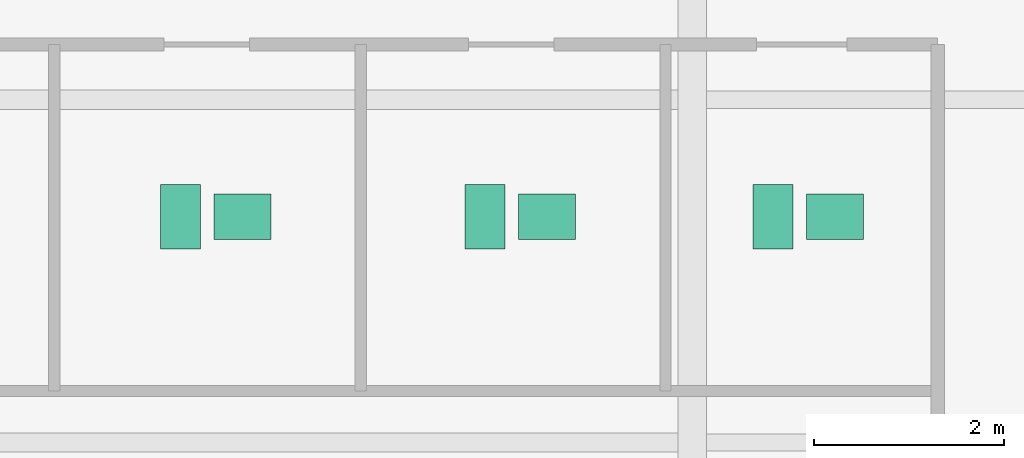
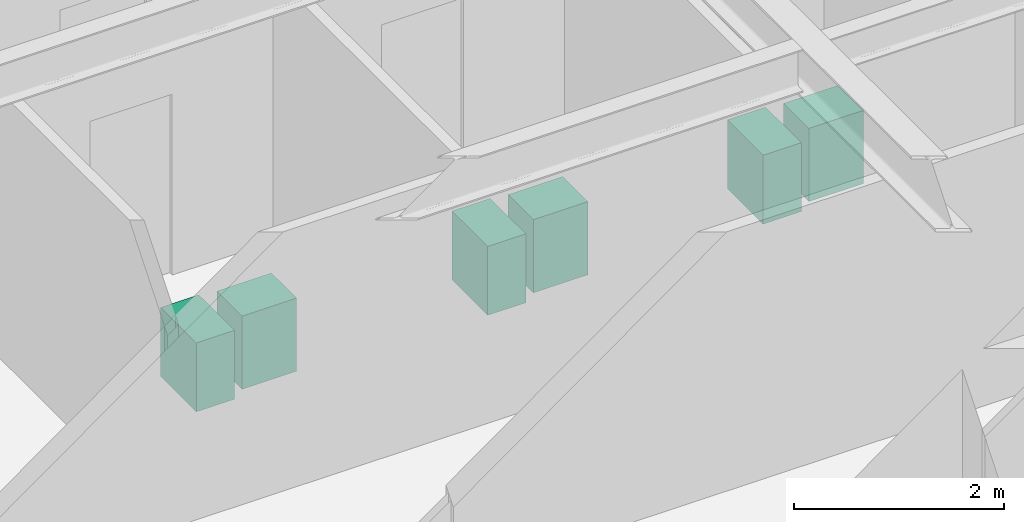
# One storey, part 26 of 26: 6 sanitary terminals.
"""IFC4 building model written with IfcOpenShell, lengths in metres."""

from ifc_helpers import new_model, si_unit, direction, frame, origin, origin_2d, place, context, subcontext, project, spatial, rectangle, extrude, source, transform, mapped, material, type_object, type_shapes, element, save


model = new_model("IFC4")

# Units and contexts
model_context = context("Model", 3, precision=1e-05, world=origin(), true_north=direction((0.0, 1.0)))
body_context = subcontext(model_context, "Body", "Model", "MODEL_VIEW")
ifc_project = project(units=[si_unit("LENGTHUNIT", "METRE"), si_unit("AREAUNIT", "SQUARE_METRE"), si_unit("VOLUMEUNIT", "CUBIC_METRE"), si_unit("PLANEANGLEUNIT", "RADIAN"), si_unit("MASSUNIT", "GRAM", prefix="KILO")], contexts=[model_context])

# Site, building, storey
site_placement = place(None, origin())
site = spatial("IfcSite", under=ifc_project, at=site_placement, CompositionType="ELEMENT")
building_placement = place(site_placement, origin())
building = spatial("IfcBuilding", under=site, at=building_placement, Name="Krantzveldt Concourse Tower", CompositionType="ELEMENT")
storey_placement = place(building_placement, frame((0.0, 0.0, 137.449951171875)))
storey = spatial("IfcBuildingStorey", under=building, at=storey_placement, Name="L33", CompositionType="ELEMENT", Elevation=137.449951171875)

# Sanitary terminals
ifc_material = material(Name="Vitreous china", Category="ceramic")
sanitary_terminal_type_1 = type_object("IfcSanitaryTerminalType", Name="SAN-WC-SUITE", PredefinedType="TOILETPAN", material=ifc_material)
shared_shape_1 = source(origin(), body_context, "Body", "SweptSolid", [
    extrude(rectangle(XDim=0.419921875, YDim=0.679931640625, at=origin_2d()), origin(), (0.0, 0.0, 1.0), 0.800048828125),
])
type_shapes(sanitary_terminal_type_1, [shared_shape_1])
for number, where, z_axis, x_axis, name in (
    (1, (36.02490234375, 32.570068359375, 0.0), (0.0, 0.0, 1.0), (1.0, 0.0, 0.0), "WC-SP-L33-WCM"),
    (2, (39.22509765625, 32.570068359375, 0.0), (0.0, 0.0, 1.0), (1.0, 0.0, 0.0), "WC-SP-L33-WCF"),
    (3, (42.25, 32.570068359375, 0.0), (0.0, 0.0, 1.0), (1.0, 0.0, 0.0), "WC-SP-L33-WCA"),
):
    element("IfcSanitaryTerminal", number, at=place(storey_placement, frame(where, z_axis=z_axis, x_axis=x_axis)), inside=storey, type_object=sanitary_terminal_type_1, Name=name, PredefinedType="TOILETPAN", context=body_context, shape_type="MappedRepresentation", body=[
        mapped(shared_shape_1, transform((0.0, 0.0, 0.0), x_axis=(1.0, 0.0, 0.0), y_axis=(0.0, 1.0, 0.0), z_axis=(0.0, 0.0, 1.0), scale=1.0)),
    ])
sanitary_terminal_type_2 = type_object("IfcSanitaryTerminalType", Name="SAN-BASIN-600", PredefinedType="WASHHANDBASIN", material=ifc_material)
shared_shape_2 = source(origin(), body_context, "Body", "SweptSolid", [
    extrude(rectangle(XDim=0.60009765625, YDim=0.47998046875, at=origin_2d()), origin(), (0.0, 0.0, 1.0), 0.85009765625),
])
type_shapes(sanitary_terminal_type_2, [shared_shape_2])
for number, where, z_axis, x_axis, name in (
    (4, (36.675048828125, 32.570068359375, 0.0048828125), (0.0, 0.0, 1.0), (1.0, 0.0, 0.0), "BSN-SP-L33-WCM"),
    (5, (39.875, 32.570068359375, 0.0048828125), (0.0, 0.0, 1.0), (1.0, 0.0, 0.0), "BSN-SP-L33-WCF"),
    (6, (42.89990234375, 32.570068359375, 0.0048828125), (0.0, 0.0, 1.0), (1.0, 0.0, 0.0), "BSN-SP-L33-WCA"),
):
    element("IfcSanitaryTerminal", number, at=place(storey_placement, frame(where, z_axis=z_axis, x_axis=x_axis)), inside=storey, type_object=sanitary_terminal_type_2, Name=name, PredefinedType="WASHHANDBASIN", context=body_context, shape_type="MappedRepresentation", body=[
        mapped(shared_shape_2, transform((0.0, 0.0, 0.0), x_axis=(1.0, 0.0, 0.0), y_axis=(0.0, 1.0, 0.0), z_axis=(0.0, 0.0, 1.0), scale=1.0)),
    ])

save(model, "model.ifc")
